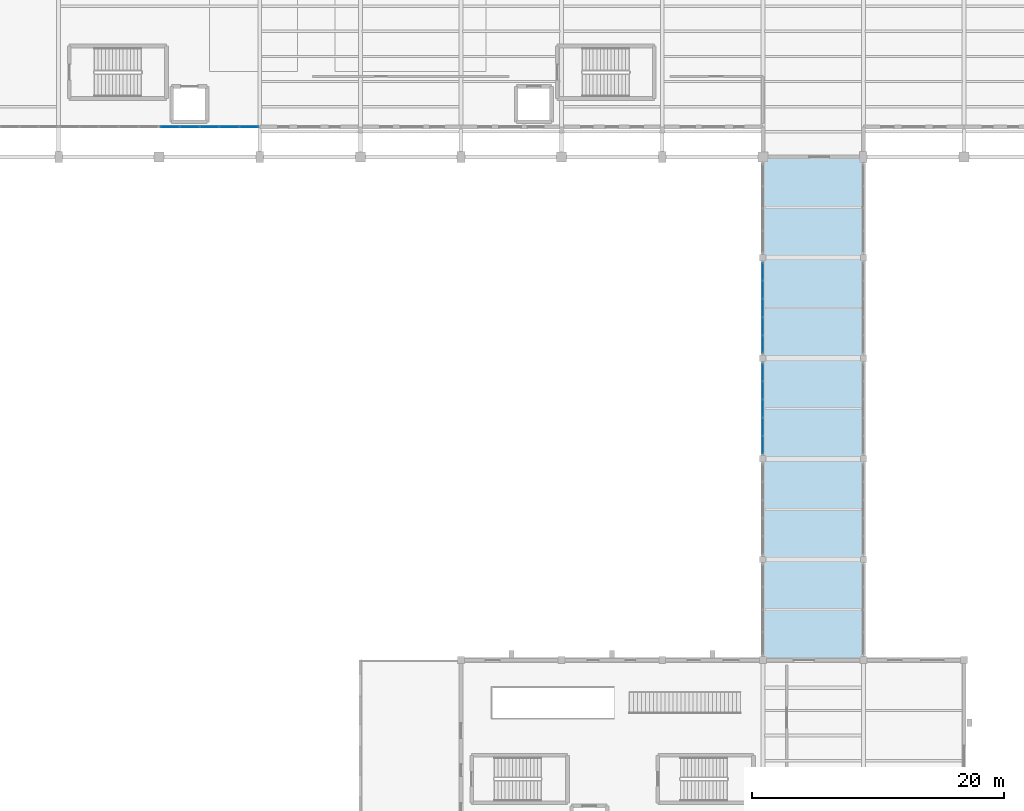
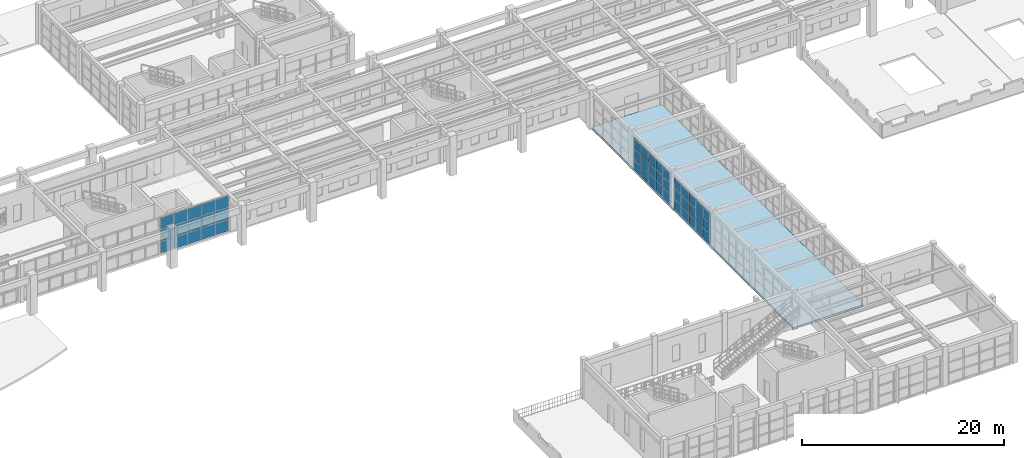
# One storey, part 32 of 59: 45 plates, 1 slab, 3 elements without a shape of their own.
"""IFC4 building model written with IfcOpenShell, lengths in metres."""

import ifcopenshell
import ifcopenshell.guid

model = None  # the IFC model being written
_history = None  # IfcOwnerHistory: only IFC2X3 demands one
_inside = {}  # id of a spatial element -> (the spatial element, [elements in it])
_under = {}  # id of a project, library or spatial element -> (it, [spatial elements below it])
_declared = {}  # id of a project -> (the project, [libraries it declares])
_typed = {}  # id of a type object -> (the type object, [elements of that type])
_made_of = {}  # id of a material, layer set ... -> (it, [elements and type objects made of it])


def new_model(schema):
    """Start an empty IFC model of exactly this schema.

    Asked for "IFC4X3", IfcOpenShell would pick the latest addendum, in which some entities
    have other attributes; the version numbers below select the first issue.
    IFC2X3 requires an IfcOwnerHistory on every rooted entity: one is made here for all.
    """
    global model, _history
    if schema == "IFC4X3":
        model = ifcopenshell.file(schema_version=(4, 3, 0, 0))
    else:
        model = ifcopenshell.file(schema=schema)
    _inside.clear()
    _under.clear()
    _declared.clear()
    _typed.clear()
    _made_of.clear()
    _history = None
    if model.schema == "IFC2X3":
        org = make("IfcOrganization", Name="unknown")
        user = make(
            "IfcPersonAndOrganization",
            ThePerson=make("IfcPerson", FamilyName="unknown"),
            TheOrganization=org,
        )
        app = make(
            "IfcApplication",
            ApplicationDeveloper=org,
            Version="unknown",
            ApplicationFullName="unknown",
            ApplicationIdentifier="unknown",
        )
        _history = make(
            "IfcOwnerHistory",
            OwningUser=user,
            OwningApplication=app,
            ChangeAction="ADDED",
            CreationDate=0,
        )
    return model


def make(cls, **values):
    """One entity of the class cls with the attributes given. An attribute that is None is left unset."""
    return model.create_entity(
        cls, **{name: value for name, value in values.items() if value is not None}
    )


def rooted(cls, **values):
    """An entity with a GlobalId (a new one), such as an element, a storey or a relation."""
    return make(cls, GlobalId=ifcopenshell.guid.new(), OwnerHistory=_history, **values)


def si_unit(unit_type, name, prefix=None):
    """IfcSIUnit, for example si_unit("LENGTHUNIT", "METRE", prefix="MILLI")."""
    return make("IfcSIUnit", UnitType=unit_type, Prefix=prefix, Name=name)


def assignment(units):
    """IfcUnitAssignment: the units of a project."""
    return None if units is None else make("IfcUnitAssignment", Units=units)


def point(xyz):
    """IfcCartesianPoint."""
    return None if xyz is None else make("IfcCartesianPoint", Coordinates=xyz)


def direction(xyz):
    """IfcDirection."""
    return None if xyz is None else make("IfcDirection", DirectionRatios=xyz)


def frame(location, z_axis=None, x_axis=None):
    """IfcAxis2Placement3D, a coordinate frame: its origin and axes. An axis left out is left unset."""
    return make(
        "IfcAxis2Placement3D",
        Location=point(location),
        Axis=direction(z_axis),
        RefDirection=direction(x_axis),
    )


def frame_2d(location, x_axis=None):
    """IfcAxis2Placement2D, a coordinate frame in the plane: its origin and x axis."""
    return make(
        "IfcAxis2Placement2D", Location=point(location), RefDirection=direction(x_axis)
    )


def origin():
    """The frame at (0, 0, 0) with its axes left unset."""
    return frame((0.0, 0.0, 0.0))


def origin_2d():
    """The frame at (0, 0) in the plane with its x axis left unset."""
    return frame_2d((0.0, 0.0))


def place(relative_to, where):
    """IfcLocalPlacement: puts the frame where relative to a parent placement (None: the world)."""
    return make(
        "IfcLocalPlacement", PlacementRelTo=relative_to, RelativePlacement=where
    )


def context(
    kind, dimensions, precision=None, world=None, true_north=None, identifier=None
):
    """IfcGeometricRepresentationContext, for example the 3D "Model" context."""
    return make(
        "IfcGeometricRepresentationContext",
        ContextIdentifier=identifier,
        ContextType=kind,
        CoordinateSpaceDimension=dimensions,
        Precision=precision,
        WorldCoordinateSystem=world,
        TrueNorth=true_north,
    )


def subcontext(parent, identifier, kind, view, scale=None):
    """IfcGeometricRepresentationSubContext, for example "Body" below "Model"."""
    return make(
        "IfcGeometricRepresentationSubContext",
        ContextIdentifier=identifier,
        ContextType=kind,
        ParentContext=parent,
        TargetScale=scale,
        TargetView=view,
    )


def project(units=None, contexts=None):
    """IfcProject with its units and contexts."""
    return rooted(
        "IfcProject",
        Name="project",
        RepresentationContexts=contexts,
        UnitsInContext=assignment(units),
    )


def spatial(cls, under=None, at=None, **own):
    """A site, building, storey or space (cls), placed at a placement, below another one or the project."""
    s = rooted(cls, ObjectPlacement=at, **own)
    if under is not None:
        _under.setdefault(under.id(), (under, []))[1].append(s)
    return s


def polyline(points):
    """IfcPolyline through the points."""
    return make("IfcPolyline", Points=[point(p) for p in points])


def profile(cls, at=None, kind="AREA", **sizes):
    """A parametric profile (cls). Its sizes go by their IFC names, for example OverallWidth=200.0."""
    return make(cls, ProfileType=kind, Position=at, **sizes)


def rectangle(**sizes):
    """IfcRectangleProfileDef."""
    return profile("IfcRectangleProfileDef", **sizes)


def outline(outer, holes=None, kind="AREA"):
    """IfcArbitraryClosedProfileDef: a profile drawn as a closed curve; with holes, ...WithVoids."""
    if holes is None:
        return make("IfcArbitraryClosedProfileDef", ProfileType=kind, OuterCurve=outer)
    return make(
        "IfcArbitraryProfileDefWithVoids",
        ProfileType=kind,
        OuterCurve=outer,
        InnerCurves=holes,
    )


def extrude(swept, where, along, depth):
    """IfcExtrudedAreaSolid: the profile swept, set in the frame where, extruded along a direction by depth."""
    return make(
        "IfcExtrudedAreaSolid",
        SweptArea=swept,
        Position=where,
        ExtrudedDirection=direction(along),
        Depth=depth,
    )


def shape(context_of_items, identifier, shape_type, items):
    """IfcShapeRepresentation: the items that make up one representation, for example the "Body"."""
    return make(
        "IfcShapeRepresentation",
        ContextOfItems=context_of_items,
        RepresentationIdentifier=identifier,
        RepresentationType=shape_type,
        Items=items,
    )


def material(Name=None, Category=None):
    """IfcMaterial."""
    return make("IfcMaterial", Name=Name, Category=Category)


def layer(
    of_material, thickness, ventilated=None, Name=None, Category=None, Priority=None
):
    """IfcMaterialLayer: one layer of a wall or slab, of a material (None: an air gap)."""
    return make(
        "IfcMaterialLayer",
        Material=of_material,
        LayerThickness=thickness,
        IsVentilated=ventilated,
        Name=Name,
        Category=Category,
        Priority=Priority,
    )


def layer_set(layers, Name=None):
    """IfcMaterialLayerSet."""
    return make("IfcMaterialLayerSet", MaterialLayers=layers, LayerSetName=Name)


def made_of(thing, what):
    """Note that an element or type object is made of a material, layer set ...; save() writes the relation."""
    if what is not None:
        _made_of.setdefault(what.id(), (what, []))[1].append(thing)
    return thing


def type_object(cls, material=None, **own):
    """A type object (cls), such as IfcWallType, which elements share."""
    return made_of(rooted(cls, **own), material)


def element(
    cls,
    number,
    at=None,
    inside=None,
    cuts=None,
    type_object=None,
    material=None,
    context=None,
    identifier="Body",
    shape_type=None,
    held_by="IfcProductDefinitionShape",
    body=None,
    shapes=None,
    **own,
):
    """One element of the class cls, such as IfcWall. Its Tag is "e" and its number.

    at: its placement. inside: the storey or other place that contains it. cuts: it is an
    opening in that element (IfcRelVoidsElement). A single representation is given by context,
    identifier, shape_type and body (its items); several are given by shapes. held_by: the class
    of the entity that holds the representations. save() writes the other relations.
    """
    e = rooted(cls, Tag="e%d" % number, ObjectPlacement=at, **own)
    if body is not None:
        shapes = [shape(context, identifier, shape_type, body)]
    if shapes is not None:
        e.Representation = make(held_by, Representations=shapes)
    if inside is not None:
        _inside.setdefault(inside.id(), (inside, []))[1].append(e)
    if cuts is not None:
        rooted(
            "IfcRelVoidsElement", RelatingBuildingElement=cuts, RelatedOpeningElement=e
        )
    if type_object is not None:
        _typed.setdefault(type_object.id(), (type_object, []))[1].append(e)
    return made_of(e, material)


def aggregate(whole, parts):
    """IfcRelAggregates: a whole, such as a stair, and the parts it consists of."""
    return rooted("IfcRelAggregates", RelatingObject=whole, RelatedObjects=parts)


def save(model, path):
    """Write the relations noted so far, then the file.

    IfcRelAggregates (storeys below a building ...), IfcRelContainedInSpatialStructure (elements
    in a storey), IfcRelDefinesByType, IfcRelAssociatesMaterial and IfcRelDeclares: one each for
    every whole, place, type object, material and project.
    """
    for whole, parts in _under.values():
        aggregate(whole, parts)
    for where, things in _inside.values():
        rooted(
            "IfcRelContainedInSpatialStructure",
            RelatedElements=things,
            RelatingStructure=where,
        )
    for kind, things in _typed.values():
        rooted("IfcRelDefinesByType", RelatedObjects=things, RelatingType=kind)
    for what, things in _made_of.values():
        rooted("IfcRelAssociatesMaterial", RelatedObjects=things, RelatingMaterial=what)
    for by, libraries in _declared.values():
        rooted("IfcRelDeclares", RelatingContext=by, RelatedDefinitions=libraries)
    model.write(path)


model = new_model("IFC4")

# Units and contexts
model_context = context("Model", 3, precision=1e-05, world=origin(), true_north=direction((0.0, 1.0)))
body_context = subcontext(model_context, "Body", "Model", "MODEL_VIEW")
ifc_project = project(units=[si_unit("LENGTHUNIT", "METRE"), si_unit("AREAUNIT", "SQUARE_METRE"), si_unit("VOLUMEUNIT", "CUBIC_METRE"), si_unit("PLANEANGLEUNIT", "RADIAN"), si_unit("MASSUNIT", "GRAM", prefix="KILO")], contexts=[model_context])

# Site, building, storey
site_placement = place(None, origin())
site = spatial("IfcSite", under=ifc_project, at=site_placement, CompositionType="ELEMENT")
building_placement = place(site_placement, origin())
building = spatial("IfcBuilding", under=site, at=building_placement, Name="Serraluz Foothill Cableway Terminal", CompositionType="ELEMENT")
storey_placement = place(building_placement, frame((0.0, 0.0, 4.800048828125)))
storey = spatial("IfcBuildingStorey", under=building, at=storey_placement, Name="L01", CompositionType="ELEMENT", Elevation=4.800048828125)

# Curtain wall, plates
ifc_material_1 = material(Name="Architectural bronze alloy C28000", Category="aluminium")
curtain_wall_type_1 = type_object("IfcCurtainWallType", Name="TYP-CW-520X440", PredefinedType="NOTDEFINED", material=ifc_material_1)
curtain_wall_1_placement = place(storey_placement, origin())
curtain_wall_1 = element("IfcCurtainWall", 1, at=curtain_wall_1_placement, inside=storey, type_object=curtain_wall_type_1, Name="Ribbed Glazed Curtain Wall CW-V1S-L01-72", PredefinedType="NOTDEFINED")
ifc_material_2 = material(Name="Translucent ribbed laminated channel glass", Category="glass")
ifc_layer_1 = layer(ifc_material_2, 0.028076171875, Name="Translucent ribbed laminated channel glass", Category="glass")
ifc_layer_set_1 = layer_set([ifc_layer_1], Name="Translucent ribbed laminated channel glass")
plate_type = type_object("IfcPlateType", Name="TYP-CW-PNL-28", PredefinedType="CURTAIN_PANEL", material=ifc_layer_set_1)
plate_1_placement = place(storey_placement, frame((79.143310546875, 58.39990234375, 0.06005859375), z_axis=(0.0, 0.0, 1.0), x_axis=(-1.0, 0.0, 0.0)))
plate_1 = element("IfcPlate", 2, at=plate_1_placement, type_object=plate_type, Name="CW-08 panel 1.1", PredefinedType="CURTAIN_PANEL", context=body_context, shape_type="SweptSolid", body=[
    extrude(rectangle(XDim=1.4892578125, YDim=0.028076171875, at=origin_2d()), origin(), (0.0, 0.0, 1.0), 1.38330078125),
])
plate_2_placement = place(storey_placement, frame((79.143310546875, 58.39990234375, 1.50341796875), z_axis=(0.0, 0.0, 1.0), x_axis=(-1.0, 0.0, 0.0)))
plate_2 = element("IfcPlate", 3, at=plate_2_placement, type_object=plate_type, Name="CW-08 panel 1.2", PredefinedType="CURTAIN_PANEL", context=body_context, shape_type="SweptSolid", body=[
    extrude(rectangle(XDim=1.4892578125, YDim=0.028076171875, at=origin_2d()), origin(), (0.0, 0.0, 1.0), 1.413330078125),
])
plate_3_placement = place(storey_placement, frame((79.143310546875, 58.39990234375, 2.9765625), z_axis=(0.0, 0.0, 1.0), x_axis=(-1.0, 0.0, 0.0)))
plate_3 = element("IfcPlate", 4, at=plate_3_placement, type_object=plate_type, Name="CW-08 panel 1.3", PredefinedType="CURTAIN_PANEL", context=body_context, shape_type="SweptSolid", body=[
    extrude(rectangle(XDim=1.4892578125, YDim=0.028076171875, at=origin_2d()), origin(), (0.0, 0.0, 1.0), 1.38330078125),
])
plate_4_placement = place(storey_placement, frame((77.5791015625, 58.39990234375, 0.06005859375), z_axis=(0.0, 0.0, 1.0), x_axis=(-1.0, 0.0, 0.0)))
plate_4 = element("IfcPlate", 5, at=plate_4_placement, type_object=plate_type, Name="CW-08 panel 2.1", PredefinedType="CURTAIN_PANEL", context=body_context, shape_type="SweptSolid", body=[
    extrude(rectangle(XDim=1.519287109375, YDim=0.028076171875, at=origin_2d()), origin(), (0.0, 0.0, 1.0), 1.38330078125),
])
plate_5_placement = place(storey_placement, frame((77.5791015625, 58.39990234375, 1.50341796875), z_axis=(0.0, 0.0, 1.0), x_axis=(-1.0, 0.0, 0.0)))
plate_5 = element("IfcPlate", 6, at=plate_5_placement, type_object=plate_type, Name="CW-08 panel 2.2", PredefinedType="CURTAIN_PANEL", context=body_context, shape_type="SweptSolid", body=[
    extrude(rectangle(XDim=1.519287109375, YDim=0.028076171875, at=origin_2d()), origin(), (0.0, 0.0, 1.0), 1.413330078125),
])
plate_6_placement = place(storey_placement, frame((77.5791015625, 58.39990234375, 2.9765625), z_axis=(0.0, 0.0, 1.0), x_axis=(-1.0, 0.0, 0.0)))
plate_6 = element("IfcPlate", 7, at=plate_6_placement, type_object=plate_type, Name="CW-08 panel 2.3", PredefinedType="CURTAIN_PANEL", context=body_context, shape_type="SweptSolid", body=[
    extrude(rectangle(XDim=1.519287109375, YDim=0.028076171875, at=origin_2d()), origin(), (0.0, 0.0, 1.0), 1.38330078125),
])
plate_7_placement = place(storey_placement, frame((76.0, 58.39990234375, 0.06005859375), z_axis=(0.0, 0.0, 1.0), x_axis=(-1.0, 0.0, 0.0)))
plate_7 = element("IfcPlate", 8, at=plate_7_placement, type_object=plate_type, Name="CW-08 panel 3.1", PredefinedType="CURTAIN_PANEL", context=body_context, shape_type="SweptSolid", body=[
    extrude(rectangle(XDim=1.519287109375, YDim=0.028076171875, at=origin_2d()), origin(), (0.0, 0.0, 1.0), 1.38330078125),
])
plate_8_placement = place(storey_placement, frame((76.0, 58.39990234375, 1.50341796875), z_axis=(0.0, 0.0, 1.0), x_axis=(-1.0, 0.0, 0.0)))
plate_8 = element("IfcPlate", 9, at=plate_8_placement, type_object=plate_type, Name="CW-08 panel 3.2", PredefinedType="CURTAIN_PANEL", context=body_context, shape_type="SweptSolid", body=[
    extrude(rectangle(XDim=1.519287109375, YDim=0.028076171875, at=origin_2d()), origin(), (0.0, 0.0, 1.0), 1.413330078125),
])
plate_9_placement = place(storey_placement, frame((76.0, 58.39990234375, 2.9765625), z_axis=(0.0, 0.0, 1.0), x_axis=(-1.0, 0.0, 0.0)))
plate_9 = element("IfcPlate", 10, at=plate_9_placement, type_object=plate_type, Name="CW-08 panel 3.3", PredefinedType="CURTAIN_PANEL", context=body_context, shape_type="SweptSolid", body=[
    extrude(rectangle(XDim=1.519287109375, YDim=0.028076171875, at=origin_2d()), origin(), (0.0, 0.0, 1.0), 1.38330078125),
])
plate_10_placement = place(storey_placement, frame((74.4208984375, 58.39990234375, 0.06005859375), z_axis=(0.0, 0.0, 1.0), x_axis=(-1.0, 0.0, 0.0)))
plate_10 = element("IfcPlate", 11, at=plate_10_placement, type_object=plate_type, Name="CW-08 panel 4.1", PredefinedType="CURTAIN_PANEL", context=body_context, shape_type="SweptSolid", body=[
    extrude(rectangle(XDim=1.519287109375, YDim=0.028076171875, at=origin_2d()), origin(), (0.0, 0.0, 1.0), 1.38330078125),
])
plate_11_placement = place(storey_placement, frame((74.4208984375, 58.39990234375, 1.50341796875), z_axis=(0.0, 0.0, 1.0), x_axis=(-1.0, 0.0, 0.0)))
plate_11 = element("IfcPlate", 12, at=plate_11_placement, type_object=plate_type, Name="CW-08 panel 4.2", PredefinedType="CURTAIN_PANEL", context=body_context, shape_type="SweptSolid", body=[
    extrude(rectangle(XDim=1.519287109375, YDim=0.028076171875, at=origin_2d()), origin(), (0.0, 0.0, 1.0), 1.413330078125),
])
plate_12_placement = place(storey_placement, frame((74.4208984375, 58.39990234375, 2.9765625), z_axis=(0.0, 0.0, 1.0), x_axis=(-1.0, 0.0, 0.0)))
plate_12 = element("IfcPlate", 13, at=plate_12_placement, type_object=plate_type, Name="CW-08 panel 4.3", PredefinedType="CURTAIN_PANEL", context=body_context, shape_type="SweptSolid", body=[
    extrude(rectangle(XDim=1.519287109375, YDim=0.028076171875, at=origin_2d()), origin(), (0.0, 0.0, 1.0), 1.38330078125),
])
plate_13_placement = place(storey_placement, frame((72.856689453125, 58.39990234375, 0.06005859375), z_axis=(0.0, 0.0, 1.0), x_axis=(-1.0, 0.0, 0.0)))
plate_13 = element("IfcPlate", 14, at=plate_13_placement, type_object=plate_type, Name="CW-08 panel 5.1", PredefinedType="CURTAIN_PANEL", context=body_context, shape_type="SweptSolid", body=[
    extrude(rectangle(XDim=1.4892578125, YDim=0.028076171875, at=origin_2d()), origin(), (0.0, 0.0, 1.0), 1.38330078125),
])
plate_14_placement = place(storey_placement, frame((72.856689453125, 58.39990234375, 1.50341796875), z_axis=(0.0, 0.0, 1.0), x_axis=(-1.0, 0.0, 0.0)))
plate_14 = element("IfcPlate", 15, at=plate_14_placement, type_object=plate_type, Name="CW-08 panel 5.2", PredefinedType="CURTAIN_PANEL", context=body_context, shape_type="SweptSolid", body=[
    extrude(rectangle(XDim=1.4892578125, YDim=0.028076171875, at=origin_2d()), origin(), (0.0, 0.0, 1.0), 1.413330078125),
])
plate_15_placement = place(storey_placement, frame((72.856689453125, 58.39990234375, 2.9765625), z_axis=(0.0, 0.0, 1.0), x_axis=(-1.0, 0.0, 0.0)))
plate_15 = element("IfcPlate", 16, at=plate_15_placement, type_object=plate_type, Name="CW-08 panel 5.3", PredefinedType="CURTAIN_PANEL", context=body_context, shape_type="SweptSolid", body=[
    extrude(rectangle(XDim=1.4892578125, YDim=0.028076171875, at=origin_2d()), origin(), (0.0, 0.0, 1.0), 1.38330078125),
])
aggregate(curtain_wall_1, [plate_1, plate_2, plate_3, plate_4, plate_5, plate_6, plate_7, plate_8, plate_9, plate_10, plate_11, plate_12, plate_13, plate_14, plate_15])

curtain_wall_type_2 = type_object("IfcCurtainWallType", Name="TYP-CW-710X420", PredefinedType="NOTDEFINED", material=ifc_material_1)
curtain_wall_2_placement = place(storey_placement, origin())
curtain_wall_2 = element("IfcCurtainWall", 17, at=curtain_wall_2_placement, inside=storey, type_object=curtain_wall_type_2, Name="Ribbed Glazed Curtain Wall CW-CLW-L01-32", PredefinedType="NOTDEFINED")
plate_16_placement = place(storey_placement, frame((120.0, 33.126953125, 0.06005859375), z_axis=(0.0, 0.0, 1.0), x_axis=(0.0, 1.0, 0.0)))
plate_16 = element("IfcPlate", 18, at=plate_16_placement, type_object=plate_type, Name="CW-01 panel 1.1", PredefinedType="CURTAIN_PANEL", context=body_context, shape_type="SweptSolid", body=[
    extrude(rectangle(XDim=1.35400390625, YDim=0.028076171875, at=origin_2d()), origin(), (0.0, 0.0, 1.0), 1.224609375),
])
plate_17_placement = place(storey_placement, frame((120.0, 33.126953125, 1.3447265625), z_axis=(0.0, 0.0, 1.0), x_axis=(0.0, 1.0, 0.0)))
plate_17 = element("IfcPlate", 19, at=plate_17_placement, type_object=plate_type, Name="CW-01 panel 1.2", PredefinedType="CURTAIN_PANEL", context=body_context, shape_type="SweptSolid", body=[
    extrude(rectangle(XDim=1.35400390625, YDim=0.028076171875, at=origin_2d()), origin(), (0.0, 0.0, 1.0), 1.254638671875),
])
plate_18_placement = place(storey_placement, frame((120.0, 33.126953125, 2.6591796875), z_axis=(0.0, 0.0, 1.0), x_axis=(0.0, 1.0, 0.0)))
plate_18 = element("IfcPlate", 20, at=plate_18_placement, type_object=plate_type, Name="CW-01 panel 1.3", PredefinedType="CURTAIN_PANEL", context=body_context, shape_type="SweptSolid", body=[
    extrude(rectangle(XDim=1.35400390625, YDim=0.028076171875, at=origin_2d()), origin(), (0.0, 0.0, 1.0), 1.224609375),
])
plate_19_placement = place(storey_placement, frame((120.0, 34.555908203125, 0.06005859375), z_axis=(0.0, 0.0, 1.0), x_axis=(0.0, 1.0, 0.0)))
plate_19 = element("IfcPlate", 21, at=plate_19_placement, type_object=plate_type, Name="CW-01 panel 2.1", PredefinedType="CURTAIN_PANEL", context=body_context, shape_type="SweptSolid", body=[
    extrude(rectangle(XDim=1.384033203125, YDim=0.028076171875, at=origin_2d()), origin(), (0.0, 0.0, 1.0), 1.224609375),
])
plate_20_placement = place(storey_placement, frame((120.0, 34.555908203125, 1.3447265625), z_axis=(0.0, 0.0, 1.0), x_axis=(0.0, 1.0, 0.0)))
plate_20 = element("IfcPlate", 22, at=plate_20_placement, type_object=plate_type, Name="CW-01 panel 2.2", PredefinedType="CURTAIN_PANEL", context=body_context, shape_type="SweptSolid", body=[
    extrude(rectangle(XDim=1.384033203125, YDim=0.028076171875, at=origin_2d()), origin(), (0.0, 0.0, 1.0), 1.254638671875),
])
plate_21_placement = place(storey_placement, frame((120.0, 34.555908203125, 2.6591796875), z_axis=(0.0, 0.0, 1.0), x_axis=(0.0, 1.0, 0.0)))
plate_21 = element("IfcPlate", 23, at=plate_21_placement, type_object=plate_type, Name="CW-01 panel 2.3", PredefinedType="CURTAIN_PANEL", context=body_context, shape_type="SweptSolid", body=[
    extrude(rectangle(XDim=1.384033203125, YDim=0.028076171875, at=origin_2d()), origin(), (0.0, 0.0, 1.0), 1.224609375),
])
plate_22_placement = place(storey_placement, frame((120.0, 36.0, 0.06005859375), z_axis=(0.0, 0.0, 1.0), x_axis=(0.0, 1.0, 0.0)))
plate_22 = element("IfcPlate", 24, at=plate_22_placement, type_object=plate_type, Name="CW-01 panel 3.1", PredefinedType="CURTAIN_PANEL", context=body_context, shape_type="SweptSolid", body=[
    extrude(rectangle(XDim=1.384033203125, YDim=0.028076171875, at=origin_2d()), origin(), (0.0, 0.0, 1.0), 1.224609375),
])
plate_23_placement = place(storey_placement, frame((120.0, 36.0, 1.3447265625), z_axis=(0.0, 0.0, 1.0), x_axis=(0.0, 1.0, 0.0)))
plate_23 = element("IfcPlate", 25, at=plate_23_placement, type_object=plate_type, Name="CW-01 panel 3.2", PredefinedType="CURTAIN_PANEL", context=body_context, shape_type="SweptSolid", body=[
    extrude(rectangle(XDim=1.384033203125, YDim=0.028076171875, at=origin_2d()), origin(), (0.0, 0.0, 1.0), 1.254638671875),
])
plate_24_placement = place(storey_placement, frame((120.0, 36.0, 2.6591796875), z_axis=(0.0, 0.0, 1.0), x_axis=(0.0, 1.0, 0.0)))
plate_24 = element("IfcPlate", 26, at=plate_24_placement, type_object=plate_type, Name="CW-01 panel 3.3", PredefinedType="CURTAIN_PANEL", context=body_context, shape_type="SweptSolid", body=[
    extrude(rectangle(XDim=1.384033203125, YDim=0.028076171875, at=origin_2d()), origin(), (0.0, 0.0, 1.0), 1.224609375),
])
plate_25_placement = place(storey_placement, frame((120.0, 37.444091796875, 0.06005859375), z_axis=(0.0, 0.0, 1.0), x_axis=(0.0, 1.0, 0.0)))
plate_25 = element("IfcPlate", 27, at=plate_25_placement, type_object=plate_type, Name="CW-01 panel 4.1", PredefinedType="CURTAIN_PANEL", context=body_context, shape_type="SweptSolid", body=[
    extrude(rectangle(XDim=1.384033203125, YDim=0.028076171875, at=origin_2d()), origin(), (0.0, 0.0, 1.0), 1.224609375),
])
plate_26_placement = place(storey_placement, frame((120.0, 37.444091796875, 1.3447265625), z_axis=(0.0, 0.0, 1.0), x_axis=(0.0, 1.0, 0.0)))
plate_26 = element("IfcPlate", 28, at=plate_26_placement, type_object=plate_type, Name="CW-01 panel 4.2", PredefinedType="CURTAIN_PANEL", context=body_context, shape_type="SweptSolid", body=[
    extrude(rectangle(XDim=1.384033203125, YDim=0.028076171875, at=origin_2d()), origin(), (0.0, 0.0, 1.0), 1.254638671875),
])
plate_27_placement = place(storey_placement, frame((120.0, 37.444091796875, 2.6591796875), z_axis=(0.0, 0.0, 1.0), x_axis=(0.0, 1.0, 0.0)))
plate_27 = element("IfcPlate", 29, at=plate_27_placement, type_object=plate_type, Name="CW-01 panel 4.3", PredefinedType="CURTAIN_PANEL", context=body_context, shape_type="SweptSolid", body=[
    extrude(rectangle(XDim=1.384033203125, YDim=0.028076171875, at=origin_2d()), origin(), (0.0, 0.0, 1.0), 1.224609375),
])
plate_28_placement = place(storey_placement, frame((120.0, 38.873046875, 0.06005859375), z_axis=(0.0, 0.0, 1.0), x_axis=(0.0, 1.0, 0.0)))
plate_28 = element("IfcPlate", 30, at=plate_28_placement, type_object=plate_type, Name="CW-01 panel 5.1", PredefinedType="CURTAIN_PANEL", context=body_context, shape_type="SweptSolid", body=[
    extrude(rectangle(XDim=1.35400390625, YDim=0.028076171875, at=origin_2d()), origin(), (0.0, 0.0, 1.0), 1.224609375),
])
plate_29_placement = place(storey_placement, frame((120.0, 38.873046875, 1.3447265625), z_axis=(0.0, 0.0, 1.0), x_axis=(0.0, 1.0, 0.0)))
plate_29 = element("IfcPlate", 31, at=plate_29_placement, type_object=plate_type, Name="CW-01 panel 5.2", PredefinedType="CURTAIN_PANEL", context=body_context, shape_type="SweptSolid", body=[
    extrude(rectangle(XDim=1.35400390625, YDim=0.028076171875, at=origin_2d()), origin(), (0.0, 0.0, 1.0), 1.254638671875),
])
plate_30_placement = place(storey_placement, frame((120.0, 38.873046875, 2.6591796875), z_axis=(0.0, 0.0, 1.0), x_axis=(0.0, 1.0, 0.0)))
plate_30 = element("IfcPlate", 32, at=plate_30_placement, type_object=plate_type, Name="CW-01 panel 5.3", PredefinedType="CURTAIN_PANEL", context=body_context, shape_type="SweptSolid", body=[
    extrude(rectangle(XDim=1.35400390625, YDim=0.028076171875, at=origin_2d()), origin(), (0.0, 0.0, 1.0), 1.224609375),
])
aggregate(curtain_wall_2, [plate_16, plate_17, plate_18, plate_19, plate_20, plate_21, plate_22, plate_23, plate_24, plate_25, plate_26, plate_27, plate_28, plate_29, plate_30])

curtain_wall_3_placement = place(storey_placement, origin())
curtain_wall_3 = element("IfcCurtainWall", 33, at=curtain_wall_3_placement, inside=storey, type_object=curtain_wall_type_2, Name="Ribbed Glazed Curtain Wall CW-CLW-L01-40", PredefinedType="NOTDEFINED")
plate_31_placement = place(storey_placement, frame((120.0, 41.126953125, 0.06005859375), z_axis=(0.0, 0.0, 1.0), x_axis=(0.0, 1.0, 0.0)))
plate_31 = element("IfcPlate", 34, at=plate_31_placement, type_object=plate_type, Name="CW-01 panel 1.1", PredefinedType="CURTAIN_PANEL", context=body_context, shape_type="SweptSolid", body=[
    extrude(rectangle(XDim=1.35400390625, YDim=0.028076171875, at=origin_2d()), origin(), (0.0, 0.0, 1.0), 1.224609375),
])
plate_32_placement = place(storey_placement, frame((120.0, 41.126953125, 1.3447265625), z_axis=(0.0, 0.0, 1.0), x_axis=(0.0, 1.0, 0.0)))
plate_32 = element("IfcPlate", 35, at=plate_32_placement, type_object=plate_type, Name="CW-01 panel 1.2", PredefinedType="CURTAIN_PANEL", context=body_context, shape_type="SweptSolid", body=[
    extrude(rectangle(XDim=1.35400390625, YDim=0.028076171875, at=origin_2d()), origin(), (0.0, 0.0, 1.0), 1.254638671875),
])
plate_33_placement = place(storey_placement, frame((120.0, 41.126953125, 2.6591796875), z_axis=(0.0, 0.0, 1.0), x_axis=(0.0, 1.0, 0.0)))
plate_33 = element("IfcPlate", 36, at=plate_33_placement, type_object=plate_type, Name="CW-01 panel 1.3", PredefinedType="CURTAIN_PANEL", context=body_context, shape_type="SweptSolid", body=[
    extrude(rectangle(XDim=1.35400390625, YDim=0.028076171875, at=origin_2d()), origin(), (0.0, 0.0, 1.0), 1.224609375),
])
plate_34_placement = place(storey_placement, frame((120.0, 42.555908203125, 0.06005859375), z_axis=(0.0, 0.0, 1.0), x_axis=(0.0, 1.0, 0.0)))
plate_34 = element("IfcPlate", 37, at=plate_34_placement, type_object=plate_type, Name="CW-01 panel 2.1", PredefinedType="CURTAIN_PANEL", context=body_context, shape_type="SweptSolid", body=[
    extrude(rectangle(XDim=1.384033203125, YDim=0.028076171875, at=origin_2d()), origin(), (0.0, 0.0, 1.0), 1.224609375),
])
plate_35_placement = place(storey_placement, frame((120.0, 42.555908203125, 1.3447265625), z_axis=(0.0, 0.0, 1.0), x_axis=(0.0, 1.0, 0.0)))
plate_35 = element("IfcPlate", 38, at=plate_35_placement, type_object=plate_type, Name="CW-01 panel 2.2", PredefinedType="CURTAIN_PANEL", context=body_context, shape_type="SweptSolid", body=[
    extrude(rectangle(XDim=1.384033203125, YDim=0.028076171875, at=origin_2d()), origin(), (0.0, 0.0, 1.0), 1.254638671875),
])
plate_36_placement = place(storey_placement, frame((120.0, 42.555908203125, 2.6591796875), z_axis=(0.0, 0.0, 1.0), x_axis=(0.0, 1.0, 0.0)))
plate_36 = element("IfcPlate", 39, at=plate_36_placement, type_object=plate_type, Name="CW-01 panel 2.3", PredefinedType="CURTAIN_PANEL", context=body_context, shape_type="SweptSolid", body=[
    extrude(rectangle(XDim=1.384033203125, YDim=0.028076171875, at=origin_2d()), origin(), (0.0, 0.0, 1.0), 1.224609375),
])
plate_37_placement = place(storey_placement, frame((120.0, 44.0, 0.06005859375), z_axis=(0.0, 0.0, 1.0), x_axis=(0.0, 1.0, 0.0)))
plate_37 = element("IfcPlate", 40, at=plate_37_placement, type_object=plate_type, Name="CW-01 panel 3.1", PredefinedType="CURTAIN_PANEL", context=body_context, shape_type="SweptSolid", body=[
    extrude(rectangle(XDim=1.384033203125, YDim=0.028076171875, at=origin_2d()), origin(), (0.0, 0.0, 1.0), 1.224609375),
])
plate_38_placement = place(storey_placement, frame((120.0, 44.0, 1.3447265625), z_axis=(0.0, 0.0, 1.0), x_axis=(0.0, 1.0, 0.0)))
plate_38 = element("IfcPlate", 41, at=plate_38_placement, type_object=plate_type, Name="CW-01 panel 3.2", PredefinedType="CURTAIN_PANEL", context=body_context, shape_type="SweptSolid", body=[
    extrude(rectangle(XDim=1.384033203125, YDim=0.028076171875, at=origin_2d()), origin(), (0.0, 0.0, 1.0), 1.254638671875),
])
plate_39_placement = place(storey_placement, frame((120.0, 44.0, 2.6591796875), z_axis=(0.0, 0.0, 1.0), x_axis=(0.0, 1.0, 0.0)))
plate_39 = element("IfcPlate", 42, at=plate_39_placement, type_object=plate_type, Name="CW-01 panel 3.3", PredefinedType="CURTAIN_PANEL", context=body_context, shape_type="SweptSolid", body=[
    extrude(rectangle(XDim=1.384033203125, YDim=0.028076171875, at=origin_2d()), origin(), (0.0, 0.0, 1.0), 1.224609375),
])
plate_40_placement = place(storey_placement, frame((120.0, 45.444091796875, 0.06005859375), z_axis=(0.0, 0.0, 1.0), x_axis=(0.0, 1.0, 0.0)))
plate_40 = element("IfcPlate", 43, at=plate_40_placement, type_object=plate_type, Name="CW-01 panel 4.1", PredefinedType="CURTAIN_PANEL", context=body_context, shape_type="SweptSolid", body=[
    extrude(rectangle(XDim=1.384033203125, YDim=0.028076171875, at=origin_2d()), origin(), (0.0, 0.0, 1.0), 1.224609375),
])
plate_41_placement = place(storey_placement, frame((120.0, 45.444091796875, 1.3447265625), z_axis=(0.0, 0.0, 1.0), x_axis=(0.0, 1.0, 0.0)))
plate_41 = element("IfcPlate", 44, at=plate_41_placement, type_object=plate_type, Name="CW-01 panel 4.2", PredefinedType="CURTAIN_PANEL", context=body_context, shape_type="SweptSolid", body=[
    extrude(rectangle(XDim=1.384033203125, YDim=0.028076171875, at=origin_2d()), origin(), (0.0, 0.0, 1.0), 1.254638671875),
])
plate_42_placement = place(storey_placement, frame((120.0, 45.444091796875, 2.6591796875), z_axis=(0.0, 0.0, 1.0), x_axis=(0.0, 1.0, 0.0)))
plate_42 = element("IfcPlate", 45, at=plate_42_placement, type_object=plate_type, Name="CW-01 panel 4.3", PredefinedType="CURTAIN_PANEL", context=body_context, shape_type="SweptSolid", body=[
    extrude(rectangle(XDim=1.384033203125, YDim=0.028076171875, at=origin_2d()), origin(), (0.0, 0.0, 1.0), 1.224609375),
])
plate_43_placement = place(storey_placement, frame((120.0, 46.873046875, 0.06005859375), z_axis=(0.0, 0.0, 1.0), x_axis=(0.0, 1.0, 0.0)))
plate_43 = element("IfcPlate", 46, at=plate_43_placement, type_object=plate_type, Name="CW-01 panel 5.1", PredefinedType="CURTAIN_PANEL", context=body_context, shape_type="SweptSolid", body=[
    extrude(rectangle(XDim=1.35400390625, YDim=0.028076171875, at=origin_2d()), origin(), (0.0, 0.0, 1.0), 1.224609375),
])
plate_44_placement = place(storey_placement, frame((120.0, 46.873046875, 1.3447265625), z_axis=(0.0, 0.0, 1.0), x_axis=(0.0, 1.0, 0.0)))
plate_44 = element("IfcPlate", 47, at=plate_44_placement, type_object=plate_type, Name="CW-01 panel 5.2", PredefinedType="CURTAIN_PANEL", context=body_context, shape_type="SweptSolid", body=[
    extrude(rectangle(XDim=1.35400390625, YDim=0.028076171875, at=origin_2d()), origin(), (0.0, 0.0, 1.0), 1.254638671875),
])
plate_45_placement = place(storey_placement, frame((120.0, 46.873046875, 2.6591796875), z_axis=(0.0, 0.0, 1.0), x_axis=(0.0, 1.0, 0.0)))
plate_45 = element("IfcPlate", 48, at=plate_45_placement, type_object=plate_type, Name="CW-01 panel 5.3", PredefinedType="CURTAIN_PANEL", context=body_context, shape_type="SweptSolid", body=[
    extrude(rectangle(XDim=1.35400390625, YDim=0.028076171875, at=origin_2d()), origin(), (0.0, 0.0, 1.0), 1.224609375),
])
aggregate(curtain_wall_3, [plate_31, plate_32, plate_33, plate_34, plate_35, plate_36, plate_37, plate_38, plate_39, plate_40, plate_41, plate_42, plate_43, plate_44, plate_45])

# Slab
ifc_material_3 = material(Name="Concrete C28/35 (f'c 28 MPa)", Category="concrete")
ifc_layer_2 = layer(ifc_material_3, 0.239990234375, Name="Concrete C28/35 (f'c 28 MPa)", Category="concrete")
ifc_layer_set_2 = layer_set([ifc_layer_2], Name="Concrete C28/35 (f'c 28 MPa)")
slab_type = type_object("IfcSlabType", Name="TYP-SLB-FLR-240", PredefinedType="FLOOR", material=ifc_layer_set_2)
slab_placement = place(storey_placement, frame((0.0, 0.0, -0.239990234375)))
element("IfcSlab", 49, at=slab_placement, inside=storey, type_object=slab_type, Name="Structural Slab SLB-L01-V3B", PredefinedType="FLOOR", context=body_context, shape_type="SweptSolid", body=[
    extrude(outline(polyline([(120.0, 16.0), (128.0, 16.0), (128.0, 56.0), (120.0, 56.0), (120.0, 16.0)])), origin(), (0.0, 0.0, 1.0), 0.239990234375),
])

save(model, "model.ifc")
